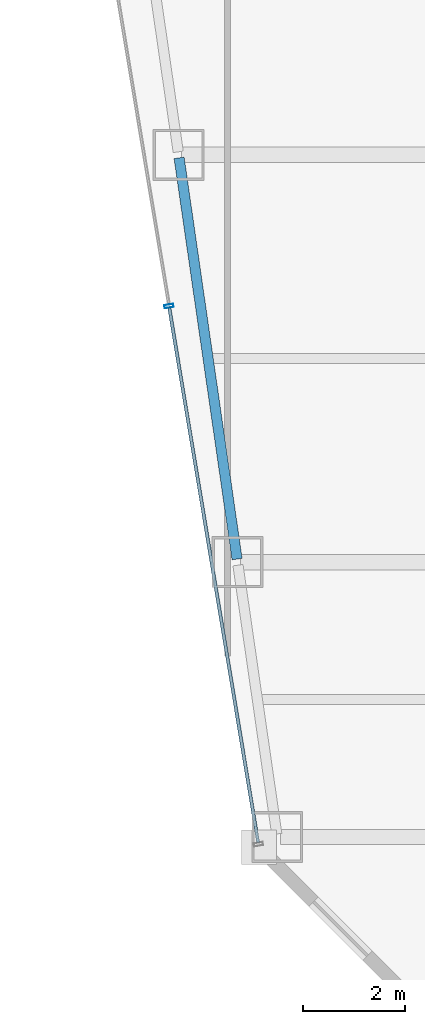
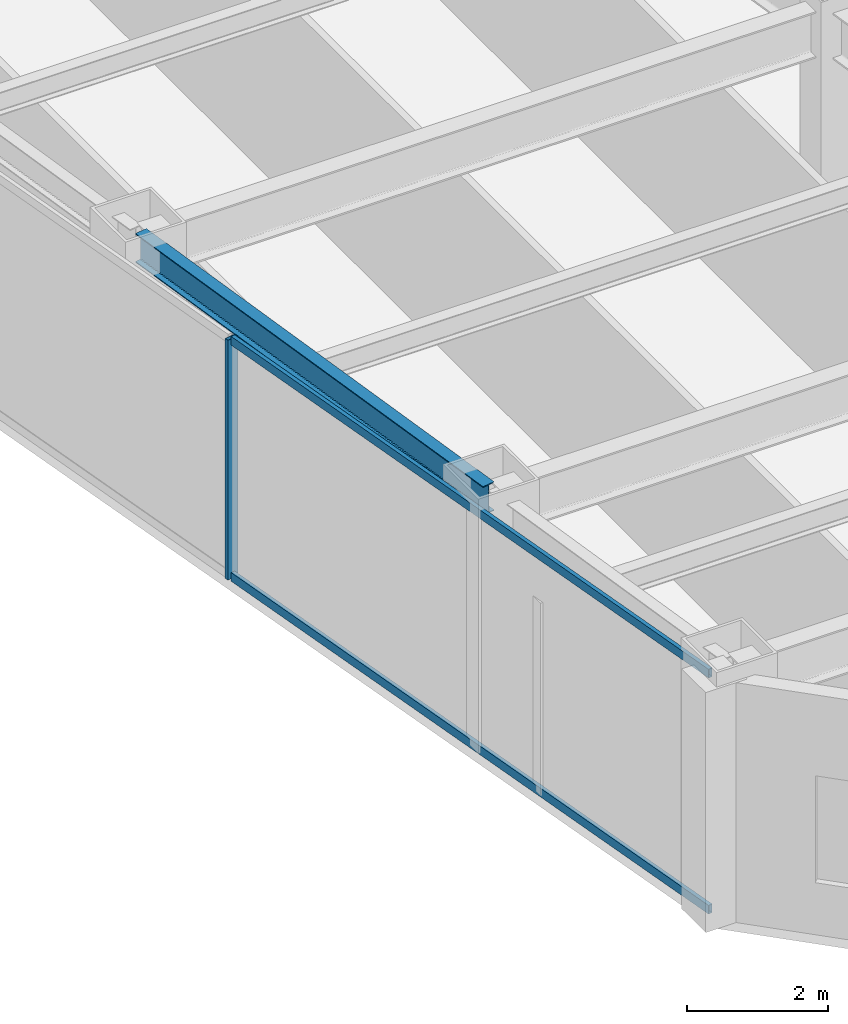
# One storey, part 3 of 37: 3 members, 1 beam, 1 element without a shape of its own.
"""IFC4 building model written with IfcOpenShell, lengths in metres."""

from ifc_helpers import new_model, si_unit, direction, frame, origin, origin_2d, place, context, subcontext, project, spatial, hollow_rectangle, i_section, extrude, material, material_profile, profile_set, type_object, element, aggregate, save


model = new_model("IFC4")

# Units and contexts
model_context = context("Model", 3, precision=1e-05, world=origin(), true_north=direction((0.0, 1.0)))
body_context = subcontext(model_context, "Body", "Model", "MODEL_VIEW")
ifc_project = project(units=[si_unit("LENGTHUNIT", "METRE"), si_unit("AREAUNIT", "SQUARE_METRE"), si_unit("VOLUMEUNIT", "CUBIC_METRE"), si_unit("PLANEANGLEUNIT", "RADIAN"), si_unit("MASSUNIT", "GRAM", prefix="KILO")], contexts=[model_context])

# Site, building, storey
site_placement = place(None, origin())
site = spatial("IfcSite", under=ifc_project, at=site_placement, CompositionType="ELEMENT")
building_placement = place(site_placement, origin())
building = spatial("IfcBuilding", under=site, at=building_placement, Name="Saevonmaru Cultural Tower", CompositionType="ELEMENT")
storey_placement = place(building_placement, frame((0.0, 0.0, 114.800048828125)))
storey = spatial("IfcBuildingStorey", under=building, at=storey_placement, Name="L24", CompositionType="ELEMENT", Elevation=114.800048828125)

# Beam
ifc_material_1 = material(Name="Steel SM355", Category="steel")
ifc_material_profile_1 = material_profile(ifc_material_1, i_section(OverallWidth=0.199951171875, OverallDepth=0.5, WebThickness=0.010009765625, FlangeThickness=0.01611328125, FilletRadius=0.02001953125, at=origin_2d()), Name="H-500x200x10x16")
ifc_profile_set_1 = profile_set([ifc_material_profile_1], Name="Steel SM355")
beam_type = type_object("IfcBeamType", Name="BM-SP-H500", PredefinedType="SPANDREL", material=ifc_profile_set_1)
beam_placement = place(storey_placement, frame((10.619384765625, 16.059326171875, 3.89990234375), z_axis=(-0.142992129437, 0.989723825579, 0.0), x_axis=(-0.989723825579, -0.142992129437, 0.0)))
element("IfcBeam", 1, at=beam_placement, inside=storey, type_object=beam_type, Name="L24 West Splayed Spandrel 2", PredefinedType="SPANDREL", context=body_context, shape_type="SweptSolid", body=[
    extrude(i_section(OverallWidth=0.199951171875, OverallDepth=0.5, WebThickness=0.010009765625, FlangeThickness=0.01611328125, FilletRadius=0.02001953125, at=origin_2d()), origin(), (0.0, 0.0, 1.0), 7.963134765625),
])

# Curtain wall, members
ifc_material_2 = material(Name="Satin Bronze Anodised Aluminium", Category="aluminium")
curtain_wall_type = type_object("IfcCurtainWallType", Name="CW-TYP-A", PredefinedType="NOTDEFINED", material=ifc_material_2)
curtain_wall_placement = place(storey_placement, origin())
curtain_wall = element("IfcCurtainWall", 2, at=curtain_wall_placement, inside=storey, type_object=curtain_wall_type, Name="L24 Unitised Curtain Wall E12", PredefinedType="NOTDEFINED")
ifc_material_profile_2 = material_profile(ifc_material_2, hollow_rectangle(XDim=0.06494140625, YDim=0.179931640625, WallThickness=0.00390625, at=origin_2d()), Name="ALU-MULL-180x65x4")
ifc_profile_set_2 = profile_set([ifc_material_profile_2], Name="Satin Bronze Anodised Aluminium")
member_type_1 = type_object("IfcMemberType", Name="ML-CW-180x65", PredefinedType="MULLION", material=ifc_profile_set_2)
member_1_placement = place(storey_placement, frame((9.28173828125, 21.029541015625, 0.0), z_axis=(0.0, 0.0, 1.0), x_axis=(0.163998702345, -0.986460554523, 0.0)))
member_1 = element("IfcMember", 3, at=member_1_placement, type_object=member_type_1, Name="CW-TW-L24-E12 mullion 4", PredefinedType="MULLION", context=body_context, shape_type="SweptSolid", body=[
    extrude(hollow_rectangle(XDim=0.06494140625, YDim=0.179931640625, WallThickness=0.00390625, at=origin_2d()), origin(), (0.0, 0.0, 1.0), 4.14990234375),
])
ifc_material_profile_3 = material_profile(ifc_material_2, hollow_rectangle(XDim=0.06494140625, YDim=0.14990234375, WallThickness=0.00390625, at=origin_2d()), Name="ALU-TRAN-150x65x4")
ifc_profile_set_3 = profile_set([ifc_material_profile_3], Name="Satin Bronze Anodised Aluminium")
member_type_2 = type_object("IfcMemberType", Name="TR-CW-150x65", PredefinedType="USERDEFINED", material=ifc_profile_set_3)
member_2_placement = place(storey_placement, frame((9.287109375, 20.99755859375, 0.032470703125), z_axis=(0.163990079074, -0.9864619881, 0.0), x_axis=(0.9864619881, 0.163990079074, 0.0)))
member_2 = element("IfcMember", 4, at=member_2_placement, type_object=member_type_2, Name="CW-TW-L24-E12 transom 4.1", ObjectType="TRANSOM", PredefinedType="USERDEFINED", context=body_context, shape_type="SweptSolid", body=[
    extrude(hollow_rectangle(XDim=0.06494140625, YDim=0.14990234375, WallThickness=0.00390625, at=origin_2d()), origin(), (0.0, 0.0, 1.0), 10.650634765625),
])
member_3_placement = place(storey_placement, frame((9.287109375, 20.99755859375, 4.117431640625), z_axis=(0.163990079074, -0.9864619881, 0.0), x_axis=(0.9864619881, 0.163990079074, 0.0)))
member_3 = element("IfcMember", 5, at=member_3_placement, type_object=member_type_2, Name="CW-TW-L24-E12 transom 4.2", ObjectType="TRANSOM", PredefinedType="USERDEFINED", context=body_context, shape_type="SweptSolid", body=[
    extrude(hollow_rectangle(XDim=0.06494140625, YDim=0.14990234375, WallThickness=0.00390625, at=origin_2d()), origin(), (0.0, 0.0, 1.0), 10.650634765625),
])
aggregate(curtain_wall, [member_1, member_2, member_3])

save(model, "model.ifc")
